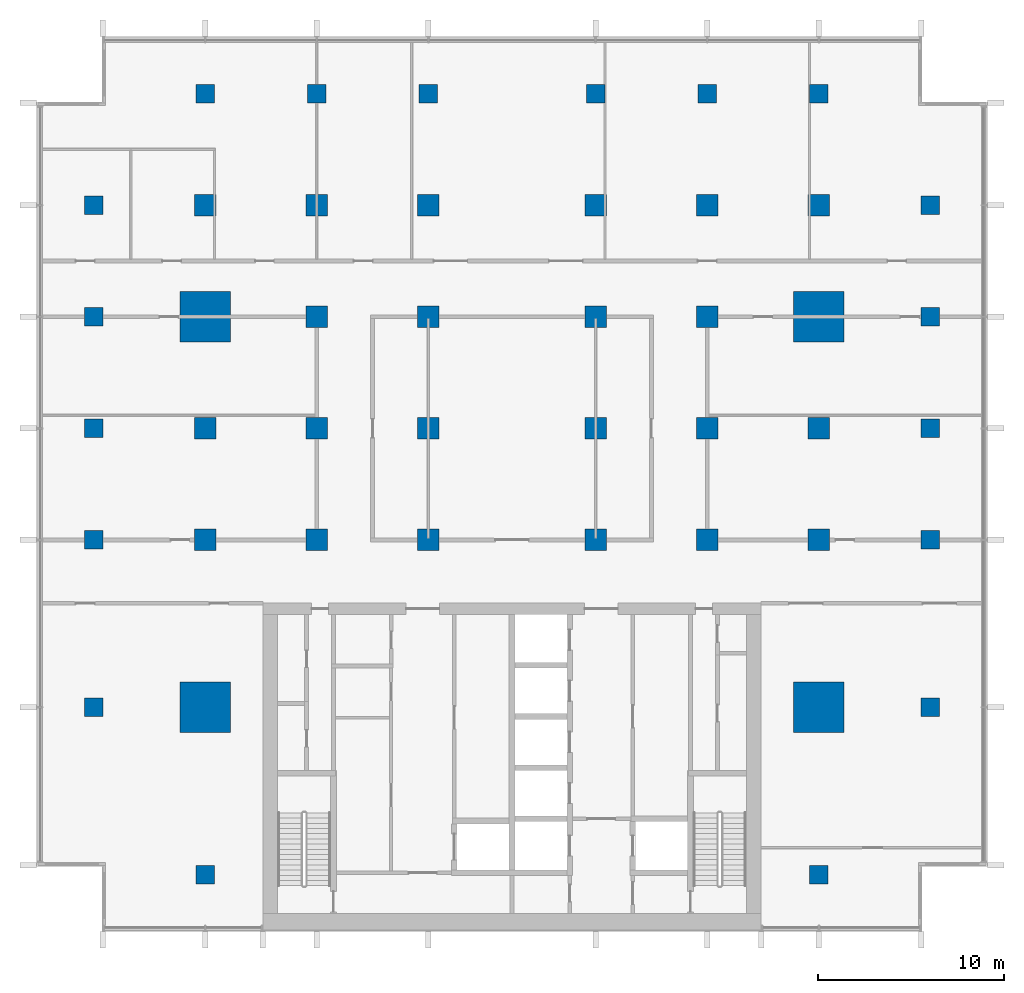
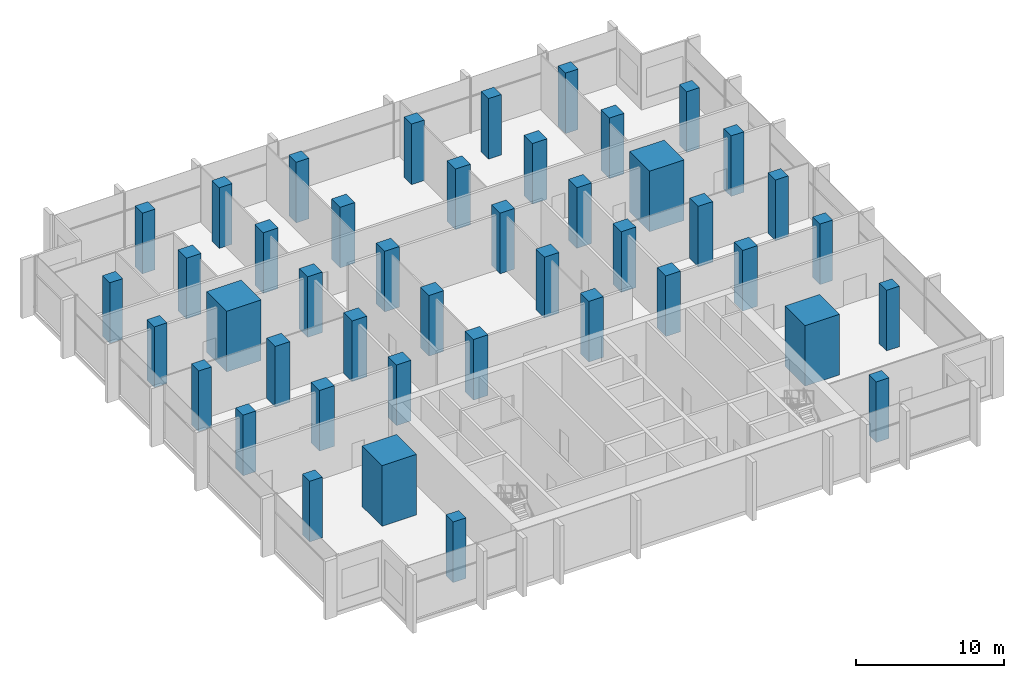
# One storey, part 1 of 15: 44 columns.
"""IFC4 building model written with IfcOpenShell, lengths in metres."""

import ifcopenshell
import ifcopenshell.guid

model = None  # the IFC model being written
_history = None  # IfcOwnerHistory: only IFC2X3 demands one
_inside = {}  # id of a spatial element -> (the spatial element, [elements in it])
_under = {}  # id of a project, library or spatial element -> (it, [spatial elements below it])
_declared = {}  # id of a project -> (the project, [libraries it declares])
_typed = {}  # id of a type object -> (the type object, [elements of that type])
_made_of = {}  # id of a material, layer set ... -> (it, [elements and type objects made of it])


def new_model(schema):
    """Start an empty IFC model of exactly this schema.

    Asked for "IFC4X3", IfcOpenShell would pick the latest addendum, in which some entities
    have other attributes; the version numbers below select the first issue.
    IFC2X3 requires an IfcOwnerHistory on every rooted entity: one is made here for all.
    """
    global model, _history
    if schema == "IFC4X3":
        model = ifcopenshell.file(schema_version=(4, 3, 0, 0))
    else:
        model = ifcopenshell.file(schema=schema)
    _inside.clear()
    _under.clear()
    _declared.clear()
    _typed.clear()
    _made_of.clear()
    _history = None
    if model.schema == "IFC2X3":
        org = make("IfcOrganization", Name="unknown")
        user = make(
            "IfcPersonAndOrganization",
            ThePerson=make("IfcPerson", FamilyName="unknown"),
            TheOrganization=org,
        )
        app = make(
            "IfcApplication",
            ApplicationDeveloper=org,
            Version="unknown",
            ApplicationFullName="unknown",
            ApplicationIdentifier="unknown",
        )
        _history = make(
            "IfcOwnerHistory",
            OwningUser=user,
            OwningApplication=app,
            ChangeAction="ADDED",
            CreationDate=0,
        )
    return model


def make(cls, **values):
    """One entity of the class cls with the attributes given. An attribute that is None is left unset."""
    return model.create_entity(
        cls, **{name: value for name, value in values.items() if value is not None}
    )


def rooted(cls, **values):
    """An entity with a GlobalId (a new one), such as an element, a storey or a relation."""
    return make(cls, GlobalId=ifcopenshell.guid.new(), OwnerHistory=_history, **values)


def si_unit(unit_type, name, prefix=None):
    """IfcSIUnit, for example si_unit("LENGTHUNIT", "METRE", prefix="MILLI")."""
    return make("IfcSIUnit", UnitType=unit_type, Prefix=prefix, Name=name)


def assignment(units):
    """IfcUnitAssignment: the units of a project."""
    return None if units is None else make("IfcUnitAssignment", Units=units)


def point(xyz):
    """IfcCartesianPoint."""
    return None if xyz is None else make("IfcCartesianPoint", Coordinates=xyz)


def direction(xyz):
    """IfcDirection."""
    return None if xyz is None else make("IfcDirection", DirectionRatios=xyz)


def frame(location, z_axis=None, x_axis=None):
    """IfcAxis2Placement3D, a coordinate frame: its origin and axes. An axis left out is left unset."""
    return make(
        "IfcAxis2Placement3D",
        Location=point(location),
        Axis=direction(z_axis),
        RefDirection=direction(x_axis),
    )


def frame_2d(location, x_axis=None):
    """IfcAxis2Placement2D, a coordinate frame in the plane: its origin and x axis."""
    return make(
        "IfcAxis2Placement2D", Location=point(location), RefDirection=direction(x_axis)
    )


def origin():
    """The frame at (0, 0, 0) with its axes left unset."""
    return frame((0.0, 0.0, 0.0))


def origin_2d():
    """The frame at (0, 0) in the plane with its x axis left unset."""
    return frame_2d((0.0, 0.0))


def place(relative_to, where):
    """IfcLocalPlacement: puts the frame where relative to a parent placement (None: the world)."""
    return make(
        "IfcLocalPlacement", PlacementRelTo=relative_to, RelativePlacement=where
    )


def context(
    kind, dimensions, precision=None, world=None, true_north=None, identifier=None
):
    """IfcGeometricRepresentationContext, for example the 3D "Model" context."""
    return make(
        "IfcGeometricRepresentationContext",
        ContextIdentifier=identifier,
        ContextType=kind,
        CoordinateSpaceDimension=dimensions,
        Precision=precision,
        WorldCoordinateSystem=world,
        TrueNorth=true_north,
    )


def subcontext(parent, identifier, kind, view, scale=None):
    """IfcGeometricRepresentationSubContext, for example "Body" below "Model"."""
    return make(
        "IfcGeometricRepresentationSubContext",
        ContextIdentifier=identifier,
        ContextType=kind,
        ParentContext=parent,
        TargetScale=scale,
        TargetView=view,
    )


def project(units=None, contexts=None):
    """IfcProject with its units and contexts."""
    return rooted(
        "IfcProject",
        Name="project",
        RepresentationContexts=contexts,
        UnitsInContext=assignment(units),
    )


def spatial(cls, under=None, at=None, **own):
    """A site, building, storey or space (cls), placed at a placement, below another one or the project."""
    s = rooted(cls, ObjectPlacement=at, **own)
    if under is not None:
        _under.setdefault(under.id(), (under, []))[1].append(s)
    return s


def profile(cls, at=None, kind="AREA", **sizes):
    """A parametric profile (cls). Its sizes go by their IFC names, for example OverallWidth=200.0."""
    return make(cls, ProfileType=kind, Position=at, **sizes)


def rectangle(**sizes):
    """IfcRectangleProfileDef."""
    return profile("IfcRectangleProfileDef", **sizes)


def extrude(swept, where, along, depth):
    """IfcExtrudedAreaSolid: the profile swept, set in the frame where, extruded along a direction by depth."""
    return make(
        "IfcExtrudedAreaSolid",
        SweptArea=swept,
        Position=where,
        ExtrudedDirection=direction(along),
        Depth=depth,
    )


def shape(context_of_items, identifier, shape_type, items):
    """IfcShapeRepresentation: the items that make up one representation, for example the "Body"."""
    return make(
        "IfcShapeRepresentation",
        ContextOfItems=context_of_items,
        RepresentationIdentifier=identifier,
        RepresentationType=shape_type,
        Items=items,
    )


def material(Name=None, Category=None):
    """IfcMaterial."""
    return make("IfcMaterial", Name=Name, Category=Category)


def material_profile(
    of_material, cross_section, Name=None, Category=None, Priority=None
):
    """IfcMaterialProfile: a cross section and its material."""
    return make(
        "IfcMaterialProfile",
        Name=Name,
        Material=of_material,
        Profile=cross_section,
        Priority=Priority,
        Category=Category,
    )


def profile_set(profiles, Name=None, composite=None):
    """IfcMaterialProfileSet."""
    return make(
        "IfcMaterialProfileSet",
        Name=Name,
        MaterialProfiles=profiles,
        CompositeProfile=composite,
    )


def made_of(thing, what):
    """Note that an element or type object is made of a material, layer set ...; save() writes the relation."""
    if what is not None:
        _made_of.setdefault(what.id(), (what, []))[1].append(thing)
    return thing


def type_object(cls, material=None, **own):
    """A type object (cls), such as IfcWallType, which elements share."""
    return made_of(rooted(cls, **own), material)


def element(
    cls,
    number,
    at=None,
    inside=None,
    cuts=None,
    type_object=None,
    material=None,
    context=None,
    identifier="Body",
    shape_type=None,
    held_by="IfcProductDefinitionShape",
    body=None,
    shapes=None,
    **own,
):
    """One element of the class cls, such as IfcWall. Its Tag is "e" and its number.

    at: its placement. inside: the storey or other place that contains it. cuts: it is an
    opening in that element (IfcRelVoidsElement). A single representation is given by context,
    identifier, shape_type and body (its items); several are given by shapes. held_by: the class
    of the entity that holds the representations. save() writes the other relations.
    """
    e = rooted(cls, Tag="e%d" % number, ObjectPlacement=at, **own)
    if body is not None:
        shapes = [shape(context, identifier, shape_type, body)]
    if shapes is not None:
        e.Representation = make(held_by, Representations=shapes)
    if inside is not None:
        _inside.setdefault(inside.id(), (inside, []))[1].append(e)
    if cuts is not None:
        rooted(
            "IfcRelVoidsElement", RelatingBuildingElement=cuts, RelatedOpeningElement=e
        )
    if type_object is not None:
        _typed.setdefault(type_object.id(), (type_object, []))[1].append(e)
    return made_of(e, material)


def aggregate(whole, parts):
    """IfcRelAggregates: a whole, such as a stair, and the parts it consists of."""
    return rooted("IfcRelAggregates", RelatingObject=whole, RelatedObjects=parts)


def save(model, path):
    """Write the relations noted so far, then the file.

    IfcRelAggregates (storeys below a building ...), IfcRelContainedInSpatialStructure (elements
    in a storey), IfcRelDefinesByType, IfcRelAssociatesMaterial and IfcRelDeclares: one each for
    every whole, place, type object, material and project.
    """
    for whole, parts in _under.values():
        aggregate(whole, parts)
    for where, things in _inside.values():
        rooted(
            "IfcRelContainedInSpatialStructure",
            RelatedElements=things,
            RelatingStructure=where,
        )
    for kind, things in _typed.values():
        rooted("IfcRelDefinesByType", RelatedObjects=things, RelatingType=kind)
    for what, things in _made_of.values():
        rooted("IfcRelAssociatesMaterial", RelatedObjects=things, RelatingMaterial=what)
    for by, libraries in _declared.values():
        rooted("IfcRelDeclares", RelatingContext=by, RelatedDefinitions=libraries)
    model.write(path)


model = new_model("IFC4")

# Units and contexts
model_context = context("Model", 3, precision=1e-05, world=origin(), true_north=direction((0.0, 1.0)))
body_context = subcontext(model_context, "Body", "Model", "MODEL_VIEW")
ifc_project = project(units=[si_unit("LENGTHUNIT", "METRE"), si_unit("AREAUNIT", "SQUARE_METRE"), si_unit("VOLUMEUNIT", "CUBIC_METRE"), si_unit("PLANEANGLEUNIT", "RADIAN"), si_unit("MASSUNIT", "GRAM", prefix="KILO")], contexts=[model_context])

# Site, building, storey
site_placement = place(None, origin())
site = spatial("IfcSite", under=ifc_project, at=site_placement, CompositionType="ELEMENT")
building_placement = place(site_placement, origin())
building = spatial("IfcBuilding", under=site, at=building_placement, Name="Finial Court Residences", CompositionType="ELEMENT")
storey_placement = place(building_placement, frame((0.0, 0.0, 138.89990234375)))
storey = spatial("IfcBuildingStorey", under=building, at=storey_placement, Name="L34", CompositionType="ELEMENT", Elevation=138.89990234375)

# Columns
ifc_material = material(Name="Concrete C70/85", Category="concrete")
ifc_material_profile_1 = material_profile(ifc_material, rectangle(XDim=1.14990234375, YDim=1.14990234375, at=origin_2d()), Name="1150x1150")
ifc_profile_set_1 = profile_set([ifc_material_profile_1], Name="Concrete C70/85")
column_type_1 = type_object("IfcColumnType", Name="Interior column 1150x1150 Concrete C70/85", PredefinedType="COLUMN", material=ifc_profile_set_1)
for number, where, z_axis, x_axis, name in (
    (1, (-16.5, -4.5, 0.0), (0.0, 0.0, 1.0), (1.0, 0.0, 0.0), "S:COL:L34:C4"),
    (2, (-16.5, 1.5, 0.0), (0.0, 0.0, 1.0), (1.0, 0.0, 0.0), "S:COL:L34:C5"),
    (3, (-16.5, 13.5, 0.0), (0.0, 0.0, 1.0), (1.0, 0.0, 0.0), "S:COL:L34:C7"),
    (4, (-10.5, -4.5, 0.0), (0.0, 0.0, 1.0), (1.0, 0.0, 0.0), "S:COL:L34:D4"),
    (5, (-10.5, 1.5, 0.0), (0.0, 0.0, 1.0), (1.0, 0.0, 0.0), "S:COL:L34:D5"),
    (6, (-10.5, 7.5, 0.0), (0.0, 0.0, 1.0), (1.0, 0.0, 0.0), "S:COL:L34:D6"),
    (7, (-10.5, 13.5, 0.0), (0.0, 0.0, 1.0), (1.0, 0.0, 0.0), "S:COL:L34:D7"),
    (8, (-4.5, -4.5, 0.0), (0.0, 0.0, 1.0), (1.0, 0.0, 0.0), "S:COL:L34:E4"),
    (9, (-4.5, 1.5, 0.0), (0.0, 0.0, 1.0), (1.0, 0.0, 0.0), "S:COL:L34:E5"),
    (10, (-4.5, 7.5, 0.0), (0.0, 0.0, 1.0), (1.0, 0.0, 0.0), "S:COL:L34:E6"),
    (11, (-4.5, 13.5, 0.0), (0.0, 0.0, 1.0), (1.0, 0.0, 0.0), "S:COL:L34:E7"),
    (12, (4.5, -4.5, 0.0), (0.0, 0.0, 1.0), (1.0, 0.0, 0.0), "S:COL:L34:F4"),
    (13, (4.5, 1.5, 0.0), (0.0, 0.0, 1.0), (1.0, 0.0, 0.0), "S:COL:L34:F5"),
    (14, (4.5, 7.5, 0.0), (0.0, 0.0, 1.0), (1.0, 0.0, 0.0), "S:COL:L34:F6"),
    (15, (4.5, 13.5, 0.0), (0.0, 0.0, 1.0), (1.0, 0.0, 0.0), "S:COL:L34:F7"),
    (16, (10.5, -4.5, 0.0), (0.0, 0.0, 1.0), (1.0, 0.0, 0.0), "S:COL:L34:G4"),
    (17, (10.5, 1.5, 0.0), (0.0, 0.0, 1.0), (1.0, 0.0, 0.0), "S:COL:L34:G5"),
    (18, (10.5, 7.5, 0.0), (0.0, 0.0, 1.0), (1.0, 0.0, 0.0), "S:COL:L34:G6"),
    (19, (10.5, 13.5, 0.0), (0.0, 0.0, 1.0), (1.0, 0.0, 0.0), "S:COL:L34:G7"),
    (20, (16.5, -4.5, 0.0), (0.0, 0.0, 1.0), (1.0, 0.0, 0.0), "S:COL:L34:H4"),
    (21, (16.5, 1.5, 0.0), (0.0, 0.0, 1.0), (1.0, 0.0, 0.0), "S:COL:L34:H5"),
    (22, (16.5, 13.5, 0.0), (0.0, 0.0, 1.0), (1.0, 0.0, 0.0), "S:COL:L34:H7"),
):
    element("IfcColumn", number, at=place(storey_placement, frame(where, z_axis=z_axis, x_axis=x_axis)), inside=storey, type_object=column_type_1, Name=name, PredefinedType="COLUMN", context=body_context, shape_type="SweptSolid", body=[
        extrude(rectangle(XDim=1.14990234375, YDim=1.14990234375, at=origin_2d()), origin(), (0.0, 0.0, 1.0), 5.0),
    ])
ifc_material_profile_2 = material_profile(ifc_material, rectangle(XDim=2.699951171875, YDim=2.699951171875, at=origin_2d()), Name="2700x2700")
ifc_profile_set_2 = profile_set([ifc_material_profile_2], Name="Concrete C70/85")
column_type_2 = type_object("IfcColumnType", Name="Mega column 2700x2700 Concrete C70/85", PredefinedType="COLUMN", material=ifc_profile_set_2)
for number, where, z_axis, x_axis, name in (
    (23, (-16.5, -13.5, 0.0), (0.0, 0.0, 1.0), (1.0, 0.0, 0.0), "S:COL:L34:C3"),
    (24, (-16.5, 7.5, 0.0), (0.0, 0.0, 1.0), (1.0, 0.0, 0.0), "S:COL:L34:C6"),
    (25, (16.5, -13.5, 0.0), (0.0, 0.0, 1.0), (1.0, 0.0, 0.0), "S:COL:L34:H3"),
    (26, (16.5, 7.5, 0.0), (0.0, 0.0, 1.0), (1.0, 0.0, 0.0), "S:COL:L34:H6"),
):
    element("IfcColumn", number, at=place(storey_placement, frame(where, z_axis=z_axis, x_axis=x_axis)), inside=storey, type_object=column_type_2, Name=name, PredefinedType="COLUMN", context=body_context, shape_type="SweptSolid", body=[
        extrude(rectangle(XDim=2.699951171875, YDim=2.699951171875, at=origin_2d()), origin(), (0.0, 0.0, 1.0), 5.0),
    ])
ifc_material_profile_3 = material_profile(ifc_material, rectangle(XDim=1.0, YDim=1.0, at=origin_2d()), Name="1000x1000")
ifc_profile_set_3 = profile_set([ifc_material_profile_3], Name="Concrete C70/85")
column_type_3 = type_object("IfcColumnType", Name="Perimeter column 1000x1000 Concrete C70/85", PredefinedType="COLUMN", material=ifc_profile_set_3)
for number, where, z_axis, x_axis, name in (
    (27, (-22.5, -13.5, 0.0), (0.0, 0.0, 1.0), (1.0, 0.0, 0.0), "S:COL:L34:B3"),
    (28, (-22.5, -4.5, 0.0), (0.0, 0.0, 1.0), (1.0, 0.0, 0.0), "S:COL:L34:B4"),
    (29, (-22.5, 1.5, 0.0), (0.0, 0.0, 1.0), (1.0, 0.0, 0.0), "S:COL:L34:B5"),
    (30, (-22.5, 7.5, 0.0), (0.0, 0.0, 1.0), (1.0, 0.0, 0.0), "S:COL:L34:B6"),
    (31, (-22.5, 13.5, 0.0), (0.0, 0.0, 1.0), (1.0, 0.0, 0.0), "S:COL:L34:B7"),
    (32, (-16.5, -22.5, 0.0), (0.0, 0.0, 1.0), (1.0, 0.0, 0.0), "S:COL:L34:C2"),
    (33, (-16.5, 19.5, 0.0), (0.0, 0.0, 1.0), (1.0, 0.0, 0.0), "S:COL:L34:C8"),
    (34, (-10.5, 19.5, 0.0), (0.0, 0.0, 1.0), (1.0, 0.0, 0.0), "S:COL:L34:D8"),
    (35, (-4.5, 19.5, 0.0), (0.0, 0.0, 1.0), (1.0, 0.0, 0.0), "S:COL:L34:E8"),
    (36, (4.5, 19.5, 0.0), (0.0, 0.0, 1.0), (1.0, 0.0, 0.0), "S:COL:L34:F8"),
    (37, (10.5, 19.5, 0.0), (0.0, 0.0, 1.0), (1.0, 0.0, 0.0), "S:COL:L34:G8"),
    (38, (16.5, -22.5, 0.0), (0.0, 0.0, 1.0), (1.0, 0.0, 0.0), "S:COL:L34:H2"),
    (39, (16.5, 19.5, 0.0), (0.0, 0.0, 1.0), (1.0, 0.0, 0.0), "S:COL:L34:H8"),
    (40, (22.5, -13.5, 0.0), (0.0, 0.0, 1.0), (1.0, 0.0, 0.0), "S:COL:L34:I3"),
    (41, (22.5, -4.5, 0.0), (0.0, 0.0, 1.0), (1.0, 0.0, 0.0), "S:COL:L34:I4"),
    (42, (22.5, 1.5, 0.0), (0.0, 0.0, 1.0), (1.0, 0.0, 0.0), "S:COL:L34:I5"),
    (43, (22.5, 7.5, 0.0), (0.0, 0.0, 1.0), (1.0, 0.0, 0.0), "S:COL:L34:I6"),
    (44, (22.5, 13.5, 0.0), (0.0, 0.0, 1.0), (1.0, 0.0, 0.0), "S:COL:L34:I7"),
):
    element("IfcColumn", number, at=place(storey_placement, frame(where, z_axis=z_axis, x_axis=x_axis)), inside=storey, type_object=column_type_3, Name=name, PredefinedType="COLUMN", context=body_context, shape_type="SweptSolid", body=[
        extrude(rectangle(XDim=1.0, YDim=1.0, at=origin_2d()), origin(), (0.0, 0.0, 1.0), 5.0),
    ])

save(model, "model.ifc")
